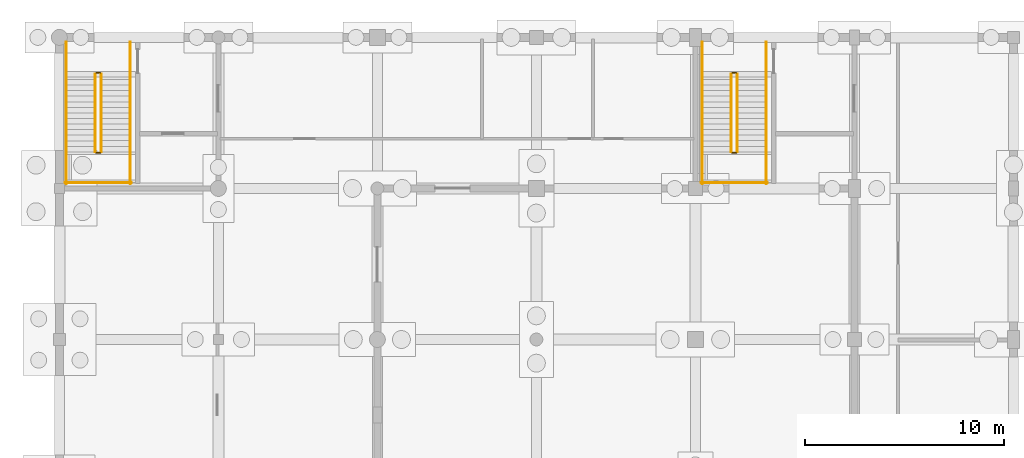
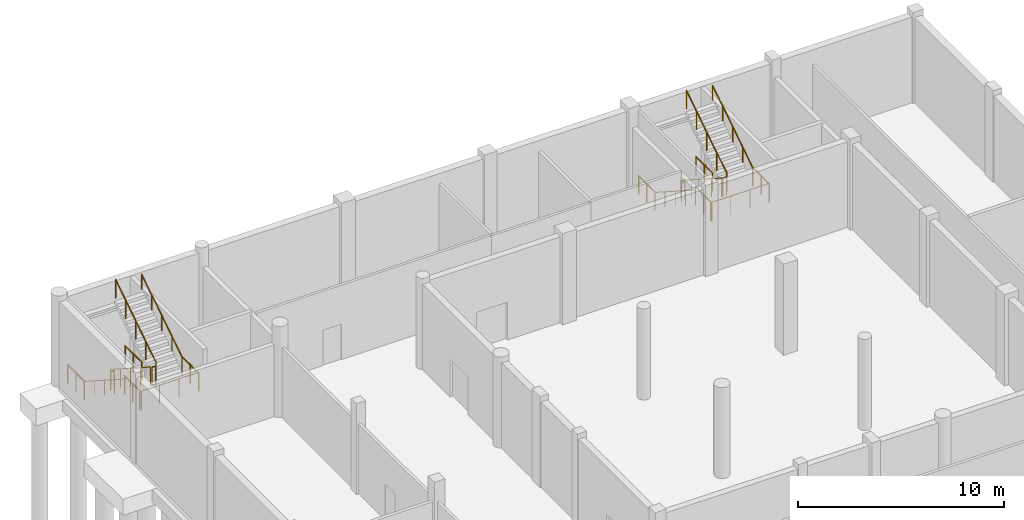
# One storey, part 40 of 44: 22 railings.
"""IFC4 building model written with IfcOpenShell, lengths in metres."""

from ifc_helpers import new_model, si_unit, direction, frame, origin, origin_2d, place, context, subcontext, project, spatial, circle, extrude, material, type_object, element, save


model = new_model("IFC4")

# Units and contexts
model_context = context("Model", 3, precision=1e-05, world=origin(), true_north=direction((0.0, 1.0)))
body_context = subcontext(model_context, "Body", "Model", "MODEL_VIEW")
ifc_project = project(units=[si_unit("LENGTHUNIT", "METRE"), si_unit("AREAUNIT", "SQUARE_METRE"), si_unit("VOLUMEUNIT", "CUBIC_METRE"), si_unit("PLANEANGLEUNIT", "RADIAN"), si_unit("MASSUNIT", "GRAM", prefix="KILO")], contexts=[model_context])

# Site, building, storey
site_placement = place(None, origin())
site = spatial("IfcSite", under=ifc_project, at=site_placement, CompositionType="ELEMENT")
building_placement = place(site_placement, origin())
building = spatial("IfcBuilding", under=site, at=building_placement, Name="Khelvaren Railside Concert Hall", CompositionType="ELEMENT")
storey_placement = place(building_placement, frame((0.0, 0.0, -5.39990234375)))
storey = spatial("IfcBuildingStorey", under=building, at=storey_placement, Name="B1", CompositionType="ELEMENT", Elevation=-5.39990234375)

# Railings
ifc_material_1 = material(Name="Painted architectural steel", Category="steel")
railing_type_1 = type_object("IfcRailingType", Name="GRD86", PredefinedType="GUARDRAIL", material=ifc_material_1)
railing_1_placement = place(storey_placement, frame((1.81005859375, 112.159912109375, 0.179931640625)))
element("IfcRailing", 1, at=railing_1_placement, inside=storey, type_object=railing_type_1, Name="B1 ST-07 stair guard 1", PredefinedType="GUARDRAIL", context=body_context, shape_type="SweptSolid", body=[
    extrude(circle(Radius=0.02392578125, at=origin_2d()), frame((0.0, 0.0, 1.076171875), z_axis=(0.0, -0.841171666519, 0.540768182723), x_axis=(1.0, 0.0, 0.0)), (0.0, 0.0, 1.0), 4.66015625),
    extrude(circle(Radius=0.02099609375, at=origin_2d()), origin(), (0.0, 0.0, 1.0), 1.052001953125),
    extrude(circle(Radius=0.02099609375, at=origin_2d()), frame((0.0, -0.97998046875, 0.6298828125)), (0.0, 0.0, 1.0), 1.052001953125),
    extrude(circle(Radius=0.02099609375, at=origin_2d()), frame((0.0, -1.9599609375, 1.260009765625)), (0.0, 0.0, 1.0), 1.052001953125),
    extrude(circle(Radius=0.02099609375, at=origin_2d()), frame((0.0, -2.93994140625, 1.89013671875)), (0.0, 0.0, 1.0), 1.052001953125),
    extrude(circle(Radius=0.02099609375, at=origin_2d()), frame((0.0, -3.919921875, 2.52001953125)), (0.0, 0.0, 1.0), 1.052001953125),
])
railing_2_placement = place(storey_placement, frame((1.860107421875, 108.18994140625, 2.699951171875)))
element("IfcRailing", 2, at=railing_2_placement, inside=storey, type_object=railing_type_1, Name="B1 ST-07 stair guard 2", PredefinedType="GUARDRAIL", context=body_context, shape_type="SweptSolid", body=[
    extrude(circle(Radius=0.02392578125, at=origin_2d()), frame((0.0, 0.0, 1.076171875), z_axis=(1.0, 0.0, 0.0), x_axis=(0.0, 1.0, 0.0)), (0.0, 0.0, 1.0), 0.199951171875),
    extrude(circle(Radius=0.02099609375, at=origin_2d()), origin(), (0.0, 0.0, 1.0), 1.052001953125),
    extrude(circle(Radius=0.02099609375, at=origin_2d()), frame((0.199951171875, 0.0, 0.0)), (0.0, 0.0, 1.0), 1.052001953125),
])
for number, where, name in (
    (3, (0.35009765625, 108.239990234375, 2.699951171875), "B1 ST-07 stair guard 3"),
    (4, (3.570068359375, 108.239990234375, 2.699951171875), "B1 ST-07 stair guard 4"),
):
    element("IfcRailing", number, at=place(storey_placement, frame(where)), inside=storey, type_object=railing_type_1, Name=name, PredefinedType="GUARDRAIL", context=body_context, shape_type="SweptSolid", body=[
        extrude(circle(Radius=0.02392578125, at=origin_2d()), frame((0.0, 0.0, 1.076171875), z_axis=(0.0, -1.0, 0.0), x_axis=(1.0, 0.0, 0.0)), (0.0, 0.0, 1.0), 1.60009765625),
        extrude(circle(Radius=0.02099609375, at=origin_2d()), origin(), (0.0, 0.0, 1.0), 1.052001953125),
        extrude(circle(Radius=0.02099609375, at=origin_2d()), frame((0.0, -0.800048828125, 0.0)), (0.0, 0.0, 1.0), 1.052001953125),
        extrude(circle(Radius=0.02099609375, at=origin_2d()), frame((0.0, -1.60009765625, 0.0)), (0.0, 0.0, 1.0), 1.052001953125),
    ])
railing_3_placement = place(storey_placement, frame((0.300048828125, 106.68994140625, 2.699951171875)))
element("IfcRailing", 5, at=railing_3_placement, inside=storey, type_object=railing_type_1, Name="B1 ST-07 stair guard 5", PredefinedType="GUARDRAIL", context=body_context, shape_type="SweptSolid", body=[
    extrude(circle(Radius=0.02392578125, at=origin_2d()), frame((0.0, 0.0, 1.076171875), z_axis=(1.0, 0.0, 0.0), x_axis=(0.0, 1.0, 0.0)), (0.0, 0.0, 1.0), 3.320068359375),
    extrude(circle(Radius=0.02099609375, at=origin_2d()), origin(), (0.0, 0.0, 1.0), 1.052001953125),
    extrude(circle(Radius=0.02099609375, at=origin_2d()), frame((1.106689453125, 0.0, 0.0)), (0.0, 0.0, 1.0), 1.052001953125),
    extrude(circle(Radius=0.02099609375, at=origin_2d()), frame((2.21337890625, 0.0, 0.0)), (0.0, 0.0, 1.0), 1.052001953125),
    extrude(circle(Radius=0.02099609375, at=origin_2d()), frame((3.320068359375, 0.0, 0.0)), (0.0, 0.0, 1.0), 1.052001953125),
])
railing_4_placement = place(storey_placement, frame((2.110107421875, 108.239990234375, 2.8798828125)))
element("IfcRailing", 6, at=railing_4_placement, inside=storey, type_object=railing_type_1, Name="B1 ST-07 stair guard 6", PredefinedType="GUARDRAIL", context=body_context, shape_type="SweptSolid", body=[
    extrude(circle(Radius=0.02392578125, at=origin_2d()), frame((0.0, 0.0, 1.076171875), z_axis=(0.0, 0.841171666519, 0.540768182723), x_axis=(-1.0, 0.0, 0.0)), (0.0, 0.0, 1.0), 4.66015625),
    extrude(circle(Radius=0.02099609375, at=origin_2d()), origin(), (0.0, 0.0, 1.0), 1.052001953125),
    extrude(circle(Radius=0.02099609375, at=origin_2d()), frame((0.0, 0.97998046875, 0.6298828125)), (0.0, 0.0, 1.0), 1.052001953125),
    extrude(circle(Radius=0.02099609375, at=origin_2d()), frame((0.0, 1.9599609375, 1.260009765625)), (0.0, 0.0, 1.0), 1.052001953125),
    extrude(circle(Radius=0.02099609375, at=origin_2d()), frame((0.0, 2.93994140625, 1.89013671875)), (0.0, 0.0, 1.0), 1.052001953125),
    extrude(circle(Radius=0.02099609375, at=origin_2d()), frame((0.0, 3.919921875, 2.52001953125)), (0.0, 0.0, 1.0), 1.052001953125),
])
railing_5_placement = place(storey_placement, frame((1.860107421875, 112.2099609375, 0.0)))
element("IfcRailing", 7, at=railing_5_placement, inside=storey, type_object=railing_type_1, Name="B1 ST-07 stair guard 7", PredefinedType="GUARDRAIL", context=body_context, shape_type="SweptSolid", body=[
    extrude(circle(Radius=0.02392578125, at=origin_2d()), frame((0.0, 0.0, 1.076171875), z_axis=(1.0, 0.0, 0.0), x_axis=(0.0, 1.0, 0.0)), (0.0, 0.0, 1.0), 0.199951171875),
    extrude(circle(Radius=0.02099609375, at=origin_2d()), origin(), (0.0, 0.0, 1.0), 1.052001953125),
    extrude(circle(Radius=0.02099609375, at=origin_2d()), frame((0.199951171875, 0.0, 0.0)), (0.0, 0.0, 1.0), 1.052001953125),
])
for number, where, name in (
    (8, (0.35009765625, 113.760009765625, 0.0), "B1 ST-07 stair guard 8"),
    (9, (3.570068359375, 113.760009765625, 0.0), "B1 ST-07 stair guard 9"),
):
    element("IfcRailing", number, at=place(storey_placement, frame(where)), inside=storey, type_object=railing_type_1, Name=name, PredefinedType="GUARDRAIL", context=body_context, shape_type="SweptSolid", body=[
        extrude(circle(Radius=0.02392578125, at=origin_2d()), frame((0.0, 0.0, 1.076171875), z_axis=(0.0, -1.0, 0.0), x_axis=(1.0, 0.0, 0.0)), (0.0, 0.0, 1.0), 1.60009765625),
        extrude(circle(Radius=0.02099609375, at=origin_2d()), origin(), (0.0, 0.0, 1.0), 1.052001953125),
        extrude(circle(Radius=0.02099609375, at=origin_2d()), frame((0.0, -0.800048828125, 0.0)), (0.0, 0.0, 1.0), 1.052001953125),
        extrude(circle(Radius=0.02099609375, at=origin_2d()), frame((0.0, -1.60009765625, 0.0)), (0.0, 0.0, 1.0), 1.052001953125),
    ])
railing_6_placement = place(storey_placement, frame((33.81005859375, 112.159912109375, 0.179931640625)))
element("IfcRailing", 10, at=railing_6_placement, inside=storey, type_object=railing_type_1, Name="B1 ST-08 stair guard 1", PredefinedType="GUARDRAIL", context=body_context, shape_type="SweptSolid", body=[
    extrude(circle(Radius=0.02392578125, at=origin_2d()), frame((0.0, 0.0, 1.076171875), z_axis=(0.0, -0.841171666519, 0.540768182723), x_axis=(1.0, 0.0, 0.0)), (0.0, 0.0, 1.0), 4.66015625),
    extrude(circle(Radius=0.02099609375, at=origin_2d()), origin(), (0.0, 0.0, 1.0), 1.052001953125),
    extrude(circle(Radius=0.02099609375, at=origin_2d()), frame((0.0, -0.97998046875, 0.6298828125)), (0.0, 0.0, 1.0), 1.052001953125),
    extrude(circle(Radius=0.02099609375, at=origin_2d()), frame((0.0, -1.9599609375, 1.260009765625)), (0.0, 0.0, 1.0), 1.052001953125),
    extrude(circle(Radius=0.02099609375, at=origin_2d()), frame((0.0, -2.93994140625, 1.89013671875)), (0.0, 0.0, 1.0), 1.052001953125),
    extrude(circle(Radius=0.02099609375, at=origin_2d()), frame((0.0, -3.919921875, 2.52001953125)), (0.0, 0.0, 1.0), 1.052001953125),
])
railing_7_placement = place(storey_placement, frame((33.860107421875, 108.18994140625, 2.699951171875)))
element("IfcRailing", 11, at=railing_7_placement, inside=storey, type_object=railing_type_1, Name="B1 ST-08 stair guard 2", PredefinedType="GUARDRAIL", context=body_context, shape_type="SweptSolid", body=[
    extrude(circle(Radius=0.02392578125, at=origin_2d()), frame((0.0, 0.0, 1.076171875), z_axis=(1.0, 0.0, 0.0), x_axis=(0.0, 1.0, 0.0)), (0.0, 0.0, 1.0), 0.199951171875),
    extrude(circle(Radius=0.02099609375, at=origin_2d()), origin(), (0.0, 0.0, 1.0), 1.052001953125),
    extrude(circle(Radius=0.02099609375, at=origin_2d()), frame((0.199951171875, 0.0, 0.0)), (0.0, 0.0, 1.0), 1.052001953125),
])
for number, where, name in (
    (12, (32.35009765625, 108.239990234375, 2.699951171875), "B1 ST-08 stair guard 3"),
    (13, (35.570068359375, 108.239990234375, 2.699951171875), "B1 ST-08 stair guard 4"),
):
    element("IfcRailing", number, at=place(storey_placement, frame(where)), inside=storey, type_object=railing_type_1, Name=name, PredefinedType="GUARDRAIL", context=body_context, shape_type="SweptSolid", body=[
        extrude(circle(Radius=0.02392578125, at=origin_2d()), frame((0.0, 0.0, 1.076171875), z_axis=(0.0, -1.0, 0.0), x_axis=(1.0, 0.0, 0.0)), (0.0, 0.0, 1.0), 1.60009765625),
        extrude(circle(Radius=0.02099609375, at=origin_2d()), origin(), (0.0, 0.0, 1.0), 1.052001953125),
        extrude(circle(Radius=0.02099609375, at=origin_2d()), frame((0.0, -0.800048828125, 0.0)), (0.0, 0.0, 1.0), 1.052001953125),
        extrude(circle(Radius=0.02099609375, at=origin_2d()), frame((0.0, -1.60009765625, 0.0)), (0.0, 0.0, 1.0), 1.052001953125),
    ])
railing_8_placement = place(storey_placement, frame((32.300048828125, 106.68994140625, 2.699951171875)))
element("IfcRailing", 14, at=railing_8_placement, inside=storey, type_object=railing_type_1, Name="B1 ST-08 stair guard 5", PredefinedType="GUARDRAIL", context=body_context, shape_type="SweptSolid", body=[
    extrude(circle(Radius=0.02392578125, at=origin_2d()), frame((0.0, 0.0, 1.076171875), z_axis=(1.0, 0.0, 0.0), x_axis=(0.0, 1.0, 0.0)), (0.0, 0.0, 1.0), 3.320068359375),
    extrude(circle(Radius=0.02099609375, at=origin_2d()), origin(), (0.0, 0.0, 1.0), 1.052001953125),
    extrude(circle(Radius=0.02099609375, at=origin_2d()), frame((1.106689453125, 0.0, 0.0)), (0.0, 0.0, 1.0), 1.052001953125),
    extrude(circle(Radius=0.02099609375, at=origin_2d()), frame((2.21337890625, 0.0, 0.0)), (0.0, 0.0, 1.0), 1.052001953125),
    extrude(circle(Radius=0.02099609375, at=origin_2d()), frame((3.320068359375, 0.0, 0.0)), (0.0, 0.0, 1.0), 1.052001953125),
])
railing_9_placement = place(storey_placement, frame((34.110107421875, 108.239990234375, 2.8798828125)))
element("IfcRailing", 15, at=railing_9_placement, inside=storey, type_object=railing_type_1, Name="B1 ST-08 stair guard 6", PredefinedType="GUARDRAIL", context=body_context, shape_type="SweptSolid", body=[
    extrude(circle(Radius=0.02392578125, at=origin_2d()), frame((0.0, 0.0, 1.076171875), z_axis=(0.0, 0.841171666519, 0.540768182723), x_axis=(-1.0, 0.0, 0.0)), (0.0, 0.0, 1.0), 4.66015625),
    extrude(circle(Radius=0.02099609375, at=origin_2d()), origin(), (0.0, 0.0, 1.0), 1.052001953125),
    extrude(circle(Radius=0.02099609375, at=origin_2d()), frame((0.0, 0.97998046875, 0.6298828125)), (0.0, 0.0, 1.0), 1.052001953125),
    extrude(circle(Radius=0.02099609375, at=origin_2d()), frame((0.0, 1.9599609375, 1.260009765625)), (0.0, 0.0, 1.0), 1.052001953125),
    extrude(circle(Radius=0.02099609375, at=origin_2d()), frame((0.0, 2.93994140625, 1.89013671875)), (0.0, 0.0, 1.0), 1.052001953125),
    extrude(circle(Radius=0.02099609375, at=origin_2d()), frame((0.0, 3.919921875, 2.52001953125)), (0.0, 0.0, 1.0), 1.052001953125),
])
railing_10_placement = place(storey_placement, frame((33.860107421875, 112.2099609375, 0.0)))
element("IfcRailing", 16, at=railing_10_placement, inside=storey, type_object=railing_type_1, Name="B1 ST-08 stair guard 7", PredefinedType="GUARDRAIL", context=body_context, shape_type="SweptSolid", body=[
    extrude(circle(Radius=0.02392578125, at=origin_2d()), frame((0.0, 0.0, 1.076171875), z_axis=(1.0, 0.0, 0.0), x_axis=(0.0, 1.0, 0.0)), (0.0, 0.0, 1.0), 0.199951171875),
    extrude(circle(Radius=0.02099609375, at=origin_2d()), origin(), (0.0, 0.0, 1.0), 1.052001953125),
    extrude(circle(Radius=0.02099609375, at=origin_2d()), frame((0.199951171875, 0.0, 0.0)), (0.0, 0.0, 1.0), 1.052001953125),
])
for number, where, name in (
    (17, (32.35009765625, 113.760009765625, 0.0), "B1 ST-08 stair guard 8"),
    (18, (35.570068359375, 113.760009765625, 0.0), "B1 ST-08 stair guard 9"),
):
    element("IfcRailing", number, at=place(storey_placement, frame(where)), inside=storey, type_object=railing_type_1, Name=name, PredefinedType="GUARDRAIL", context=body_context, shape_type="SweptSolid", body=[
        extrude(circle(Radius=0.02392578125, at=origin_2d()), frame((0.0, 0.0, 1.076171875), z_axis=(0.0, -1.0, 0.0), x_axis=(1.0, 0.0, 0.0)), (0.0, 0.0, 1.0), 1.60009765625),
        extrude(circle(Radius=0.02099609375, at=origin_2d()), origin(), (0.0, 0.0, 1.0), 1.052001953125),
        extrude(circle(Radius=0.02099609375, at=origin_2d()), frame((0.0, -0.800048828125, 0.0)), (0.0, 0.0, 1.0), 1.052001953125),
        extrude(circle(Radius=0.02099609375, at=origin_2d()), frame((0.0, -1.60009765625, 0.0)), (0.0, 0.0, 1.0), 1.052001953125),
    ])
ifc_material_2 = material(Name="Brushed stainless steel Grade 316", Category="steel")
railing_type_2 = type_object("IfcRailingType", Name="HRL59", PredefinedType="HANDRAIL", material=ifc_material_2)
railing_11_placement = place(storey_placement, frame((0.35009765625, 112.159912109375, 0.179931640625)))
element("IfcRailing", 19, at=railing_11_placement, inside=storey, type_object=railing_type_2, Name="B1 ST-07 stair handrail 1", PredefinedType="HANDRAIL", context=body_context, shape_type="SweptSolid", body=[
    extrude(circle(Radius=0.02392578125, at=origin_2d()), frame((0.0, 0.0, 0.8759765625), z_axis=(0.0, -0.841171666519, 0.540768182723), x_axis=(1.0, 0.0, 0.0)), (0.0, 0.0, 1.0), 4.66015625),
    extrude(circle(Radius=0.02099609375, at=origin_2d()), origin(), (0.0, 0.0, 1.0), 0.851806640625),
    extrude(circle(Radius=0.02099609375, at=origin_2d()), frame((0.0, -0.97998046875, 0.6298828125)), (0.0, 0.0, 1.0), 0.851806640625),
    extrude(circle(Radius=0.02099609375, at=origin_2d()), frame((0.0, -1.9599609375, 1.260009765625)), (0.0, 0.0, 1.0), 0.851806640625),
    extrude(circle(Radius=0.02099609375, at=origin_2d()), frame((0.0, -2.93994140625, 1.89013671875)), (0.0, 0.0, 1.0), 0.851806640625),
    extrude(circle(Radius=0.02099609375, at=origin_2d()), frame((0.0, -3.919921875, 2.52001953125)), (0.0, 0.0, 1.0), 0.851806640625),
])
railing_12_placement = place(storey_placement, frame((3.570068359375, 108.239990234375, 2.8798828125)))
element("IfcRailing", 20, at=railing_12_placement, inside=storey, type_object=railing_type_2, Name="B1 ST-07 stair handrail 2", PredefinedType="HANDRAIL", context=body_context, shape_type="SweptSolid", body=[
    extrude(circle(Radius=0.02392578125, at=origin_2d()), frame((0.0, 0.0, 0.8759765625), z_axis=(0.0, 0.841171666519, 0.540768182723), x_axis=(-1.0, 0.0, 0.0)), (0.0, 0.0, 1.0), 4.66015625),
    extrude(circle(Radius=0.02099609375, at=origin_2d()), origin(), (0.0, 0.0, 1.0), 0.851806640625),
    extrude(circle(Radius=0.02099609375, at=origin_2d()), frame((0.0, 0.97998046875, 0.6298828125)), (0.0, 0.0, 1.0), 0.851806640625),
    extrude(circle(Radius=0.02099609375, at=origin_2d()), frame((0.0, 1.9599609375, 1.260009765625)), (0.0, 0.0, 1.0), 0.851806640625),
    extrude(circle(Radius=0.02099609375, at=origin_2d()), frame((0.0, 2.93994140625, 1.89013671875)), (0.0, 0.0, 1.0), 0.851806640625),
    extrude(circle(Radius=0.02099609375, at=origin_2d()), frame((0.0, 3.919921875, 2.52001953125)), (0.0, 0.0, 1.0), 0.851806640625),
])
railing_13_placement = place(storey_placement, frame((32.35009765625, 112.159912109375, 0.179931640625)))
element("IfcRailing", 21, at=railing_13_placement, inside=storey, type_object=railing_type_2, Name="B1 ST-08 stair handrail 1", PredefinedType="HANDRAIL", context=body_context, shape_type="SweptSolid", body=[
    extrude(circle(Radius=0.02392578125, at=origin_2d()), frame((0.0, 0.0, 0.8759765625), z_axis=(0.0, -0.841171666519, 0.540768182723), x_axis=(1.0, 0.0, 0.0)), (0.0, 0.0, 1.0), 4.66015625),
    extrude(circle(Radius=0.02099609375, at=origin_2d()), origin(), (0.0, 0.0, 1.0), 0.851806640625),
    extrude(circle(Radius=0.02099609375, at=origin_2d()), frame((0.0, -0.97998046875, 0.6298828125)), (0.0, 0.0, 1.0), 0.851806640625),
    extrude(circle(Radius=0.02099609375, at=origin_2d()), frame((0.0, -1.9599609375, 1.260009765625)), (0.0, 0.0, 1.0), 0.851806640625),
    extrude(circle(Radius=0.02099609375, at=origin_2d()), frame((0.0, -2.93994140625, 1.89013671875)), (0.0, 0.0, 1.0), 0.851806640625),
    extrude(circle(Radius=0.02099609375, at=origin_2d()), frame((0.0, -3.919921875, 2.52001953125)), (0.0, 0.0, 1.0), 0.851806640625),
])
railing_14_placement = place(storey_placement, frame((35.570068359375, 108.239990234375, 2.8798828125)))
element("IfcRailing", 22, at=railing_14_placement, inside=storey, type_object=railing_type_2, Name="B1 ST-08 stair handrail 2", PredefinedType="HANDRAIL", context=body_context, shape_type="SweptSolid", body=[
    extrude(circle(Radius=0.02392578125, at=origin_2d()), frame((0.0, 0.0, 0.8759765625), z_axis=(0.0, 0.841171666519, 0.540768182723), x_axis=(-1.0, 0.0, 0.0)), (0.0, 0.0, 1.0), 4.66015625),
    extrude(circle(Radius=0.02099609375, at=origin_2d()), origin(), (0.0, 0.0, 1.0), 0.851806640625),
    extrude(circle(Radius=0.02099609375, at=origin_2d()), frame((0.0, 0.97998046875, 0.6298828125)), (0.0, 0.0, 1.0), 0.851806640625),
    extrude(circle(Radius=0.02099609375, at=origin_2d()), frame((0.0, 1.9599609375, 1.260009765625)), (0.0, 0.0, 1.0), 0.851806640625),
    extrude(circle(Radius=0.02099609375, at=origin_2d()), frame((0.0, 2.93994140625, 1.89013671875)), (0.0, 0.0, 1.0), 0.851806640625),
    extrude(circle(Radius=0.02099609375, at=origin_2d()), frame((0.0, 3.919921875, 2.52001953125)), (0.0, 0.0, 1.0), 0.851806640625),
])

save(model, "model.ifc")
